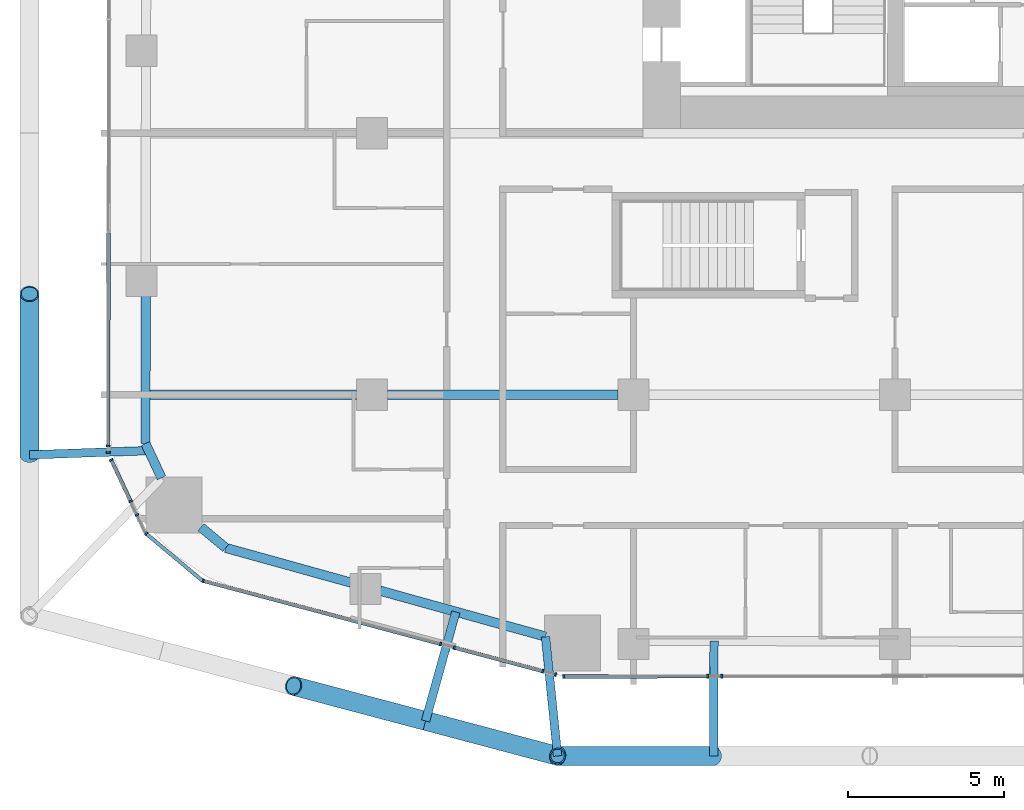
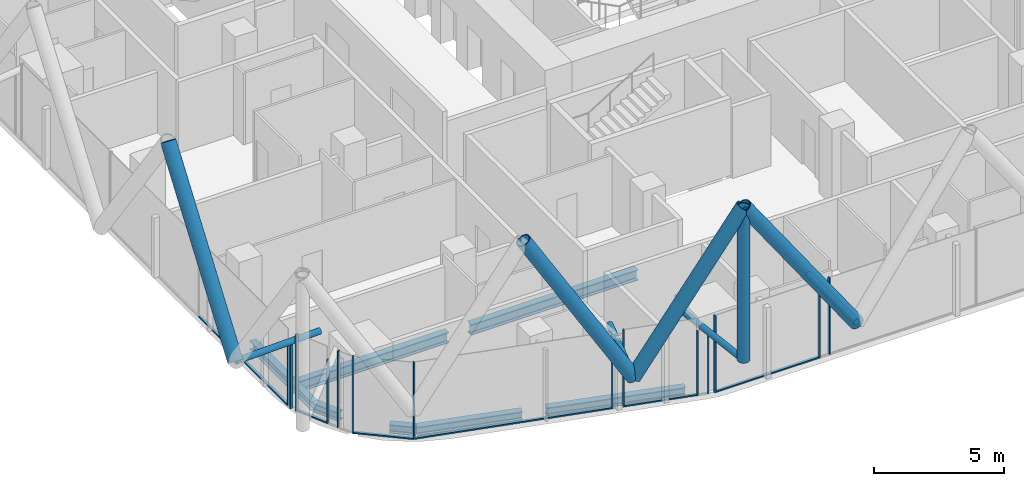
# One storey, part 2 of 38: 29 members, 7 beams, 13 elements without a shape of their own.
"""IFC4 building model written with IfcOpenShell, lengths in metres."""

from ifc_helpers import new_model, si_unit, direction, frame, origin, origin_2d, place, context, subcontext, project, spatial, rectangle, hollow_circle, i_section, extrude, material, layer, layer_set, material_profile, profile_set, type_object, element, aggregate, save


model = new_model("IFC4")

# Units and contexts
model_context = context("Model", 3, precision=1e-05, world=origin(), true_north=direction((0.0, 1.0)))
body_context = subcontext(model_context, "Body", "Model", "MODEL_VIEW")
ifc_project = project(units=[si_unit("LENGTHUNIT", "METRE"), si_unit("AREAUNIT", "SQUARE_METRE"), si_unit("VOLUMEUNIT", "CUBIC_METRE"), si_unit("PLANEANGLEUNIT", "RADIAN"), si_unit("MASSUNIT", "GRAM", prefix="KILO")], contexts=[model_context])

# Site, building, storey
site_placement = place(None, origin())
site = spatial("IfcSite", under=ifc_project, at=site_placement, CompositionType="ELEMENT")
building_placement = place(site_placement, origin())
building = spatial("IfcBuilding", under=site, at=building_placement, Name="Marenta Gate Hotel Tower", CompositionType="ELEMENT")
storey_placement = place(building_placement, frame((0.0, 0.0, 68.89990234375)))
storey = spatial("IfcBuildingStorey", under=building, at=storey_placement, Name="L15", CompositionType="ELEMENT", Elevation=68.89990234375)

# Members
ifc_material_1 = material(Name="Steel S355J2W", Category="steel")
ifc_material_profile_1 = material_profile(ifc_material_1, hollow_circle(Radius=0.25390625, WallThickness=0.0400390625, at=origin_2d()), Name="CHS 508x40")
ifc_profile_set_1 = profile_set([ifc_material_profile_1], Name="Steel S355J2W")
member_type_1 = type_object("IfcMemberType", Name="Diagrid corner post Z1 CHS 508x40", PredefinedType="POST", material=ifc_profile_set_1)
member_1_placement = place(storey_placement, frame((-15.0390625, -20.0, 3.14013671875), z_axis=(0.0, 0.0, 1.0), x_axis=(1.0, 0.0, 0.0)))
element("IfcMember", 1, at=member_1_placement, inside=storey, type_object=member_type_1, Name="L15-DR-4", PredefinedType="POST", context=body_context, shape_type="SweptSolid", body=[
    extrude(hollow_circle(Radius=0.25390625, WallThickness=0.0400390625, at=origin_2d()), origin(), (0.0, 0.0, 1.0), 7.199951171875),
])
ifc_material_2 = material(Name="Steel S355J2W", Category="steel")
ifc_material_profile_2 = material_profile(ifc_material_2, hollow_circle(Radius=0.304931640625, WallThickness=0.0400390625, at=origin_2d()), Name="CHS 610x40")
ifc_profile_set_2 = profile_set([ifc_material_profile_2], Name="Steel S355J2W")
member_type_2 = type_object("IfcMemberType", Name="Diagrid diagonal Z1 CHS 610x40", PredefinedType="BRACE", material=ifc_profile_set_2)
member_2_placement = place(storey_placement, frame((-10.02587890625, -20.0, 3.14013671875), z_axis=(-0.571411767966, 0.0, 0.820663506822), x_axis=(0.0, -1.0, 0.0)))
element("IfcMember", 2, at=member_2_placement, inside=storey, type_object=member_type_2, Name="L15-DG-20", PredefinedType="BRACE", context=body_context, shape_type="SweptSolid", body=[
    extrude(hollow_circle(Radius=0.304931640625, WallThickness=0.0400390625, at=origin_2d()), origin(), (0.0, 0.0, 1.0), 8.7734375),
])
for number, where, z_axis, x_axis, name in (
    (3, (-19.279296875, -18.875, 3.14013671875), (0.502924018666, -0.133433548941, 0.853968921838), (0.256443187528, 0.96655930577, 0.0), "L15-DG-21"),
    (4, (-19.279296875, -18.875, 3.14013671875), (-0.502924018666, 0.133433548941, 0.853968921838), (-0.256443187528, -0.96655930577, 0.0), "L15-DG-22"),
):
    element("IfcMember", number, at=place(storey_placement, frame(where, z_axis=z_axis, x_axis=x_axis)), inside=storey, type_object=member_type_2, Name=name, PredefinedType="BRACE", context=body_context, shape_type="SweptSolid", body=[
        extrude(hollow_circle(Radius=0.304931640625, WallThickness=0.0400390625, at=origin_2d()), origin(), (0.0, 0.0, 1.0), 8.43115234375),
    ])
member_3_placement = place(storey_placement, frame((-32.0, -10.330078125, 3.14013671875), z_axis=(0.0, 0.583260841117, 0.812284919975), x_axis=(-1.0, 0.0, 0.0)))
element("IfcMember", 5, at=member_3_placement, inside=storey, type_object=member_type_2, Name="L15-DG-26", PredefinedType="BRACE", context=body_context, shape_type="SweptSolid", body=[
    extrude(hollow_circle(Radius=0.304931640625, WallThickness=0.0400390625, at=origin_2d()), origin(), (0.0, 0.0, 1.0), 8.86376953125),
])

# Beams
ifc_material_3 = material(Name="Steel S355", Category="steel")
ifc_material_profile_3 = material_profile(ifc_material_3, i_section(OverallWidth=0.300048828125, OverallDepth=0.39990234375, WebThickness=0.013427734375, FlangeThickness=0.02392578125, FilletRadius=0.027099609375, at=origin_2d()), Name="HEB 400")
ifc_profile_set_3 = profile_set([ifc_material_profile_3], Name="Steel S355")
beam_type_1 = type_object("IfcBeamType", Name="Edge beam HEB 400", PredefinedType="SPANDREL", material=ifc_profile_set_3)
beam_1_placement = place(storey_placement, frame((-15.427734375, -16.166748046875, -0.4599609375), z_axis=(-0.963623684238, 0.267262782998, 0.0), x_axis=(-0.267262782998, -0.963623684238, 0.0)))
element("IfcBeam", 6, at=beam_1_placement, inside=storey, type_object=beam_type_1, Name="L15-EB-1", PredefinedType="SPANDREL", context=body_context, shape_type="SweptSolid", body=[
    extrude(i_section(OverallWidth=0.300048828125, OverallDepth=0.39990234375, WebThickness=0.013427734375, FlangeThickness=0.02392578125, FilletRadius=0.027099609375, at=origin_2d()), origin(), (0.0, 0.0, 1.0), 5.518310546875),
])
beam_2_placement = place(storey_placement, frame((-21.668212890625, -14.43603515625, -0.4599609375), z_axis=(-0.963617403201, 0.267285428426, 0.0), x_axis=(-0.267285428426, -0.963617403201, 0.0)))
element("IfcBeam", 7, at=beam_2_placement, inside=storey, type_object=beam_type_1, Name="L15-EB-2", PredefinedType="SPANDREL", context=body_context, shape_type="SweptSolid", body=[
    extrude(i_section(OverallWidth=0.300048828125, OverallDepth=0.39990234375, WebThickness=0.013427734375, FlangeThickness=0.02392578125, FilletRadius=0.027099609375, at=origin_2d()), origin(), (0.0, 0.0, 1.0), 4.1806640625),
])
beam_3_placement = place(storey_placement, frame((-25.69677734375, -13.318603515625, -0.4599609375), z_axis=(-0.767179911534, 0.641431978731, 0.0), x_axis=(-0.641431978731, -0.767179911534, 0.0)))
element("IfcBeam", 8, at=beam_3_placement, inside=storey, type_object=beam_type_1, Name="L15-EB-3", PredefinedType="SPANDREL", context=body_context, shape_type="SweptSolid", body=[
    extrude(i_section(OverallWidth=0.300048828125, OverallDepth=0.39990234375, WebThickness=0.013427734375, FlangeThickness=0.02392578125, FilletRadius=0.027099609375, at=origin_2d()), origin(), (0.0, 0.0, 1.0), 1.038818359375),
])
beam_4_placement = place(storey_placement, frame((-27.76025390625, -11.0693359375, -0.4599609375), z_axis=(-0.423291965192, 0.905993329006, 0.0), x_axis=(-0.905993329006, -0.423291965192, 0.0)))
element("IfcBeam", 9, at=beam_4_placement, inside=storey, type_object=beam_type_1, Name="L15-EB-4", PredefinedType="SPANDREL", context=body_context, shape_type="SweptSolid", body=[
    extrude(i_section(OverallWidth=0.300048828125, OverallDepth=0.39990234375, WebThickness=0.013427734375, FlangeThickness=0.02392578125, FilletRadius=0.027099609375, at=origin_2d()), origin(), (0.0, 0.0, 1.0), 1.21630859375),
])
beam_5_placement = place(storey_placement, frame((-28.275146484375, -9.96728515625, -0.4599609375), z_axis=(0.001386177947, 0.999999039255, 0.0), x_axis=(-0.999999039255, 0.001386177947, 0.0)))
element("IfcBeam", 10, at=beam_5_placement, inside=storey, type_object=beam_type_1, Name="L15-EB-5", PredefinedType="SPANDREL", context=body_context, shape_type="SweptSolid", body=[
    extrude(i_section(OverallWidth=0.300048828125, OverallDepth=0.39990234375, WebThickness=0.013427734375, FlangeThickness=0.02392578125, FilletRadius=0.027099609375, at=origin_2d()), origin(), (0.0, 0.0, 1.0), 4.75537109375),
])

# Members
ifc_material_4 = material(Name="Steel S355J2W", Category="steel")
ifc_material_profile_4 = material_profile(ifc_material_4, hollow_circle(Radius=0.136474609375, WallThickness=0.012451171875, at=origin_2d()), Name="CHS 273x12.5")
ifc_profile_set_4 = profile_set([ifc_material_profile_4], Name="Steel S355J2W")
member_type_3 = type_object("IfcMemberType", Name="Floor tie CHS 273x12.5", PredefinedType="STRUT", material=ifc_profile_set_4)
member_4_placement = place(storey_placement, frame((-10.02587890625, -20.0, 3.14013671875), z_axis=(0.00271396366, 0.999996317194, 0.0), x_axis=(-0.999996317194, 0.00271396366, 0.0)))
element("IfcMember", 11, at=member_4_placement, inside=storey, type_object=member_type_3, Name="L15-DR-15", PredefinedType="STRUT", context=body_context, shape_type="SweptSolid", body=[
    extrude(hollow_circle(Radius=0.136474609375, WallThickness=0.012451171875, at=origin_2d()), origin(), (0.0, 0.0, 1.0), 3.688232421875),
])
member_5_placement = place(storey_placement, frame((-15.0390625, -20.0, 3.14013671875), z_axis=(-0.100880214529, 0.99489857891, 0.0), x_axis=(-0.99489857891, -0.100880214529, 0.0)))
element("IfcMember", 12, at=member_5_placement, inside=storey, type_object=member_type_3, Name="L15-DR-16", PredefinedType="STRUT", context=body_context, shape_type="SweptSolid", body=[
    extrude(hollow_circle(Radius=0.136474609375, WallThickness=0.012451171875, at=origin_2d()), origin(), (0.0, 0.0, 1.0), 3.845458984375),
])
member_6_placement = place(storey_placement, frame((-19.279296875, -18.875, 3.14013671875), z_axis=(0.267255561647, 0.963625687064, 0.0), x_axis=(-0.963625687064, 0.267255561647, 0.0)))
element("IfcMember", 13, at=member_6_placement, inside=storey, type_object=member_type_3, Name="L15-DR-17", PredefinedType="STRUT", context=body_context, shape_type="SweptSolid", body=[
    extrude(hollow_circle(Radius=0.136474609375, WallThickness=0.012451171875, at=origin_2d()), origin(), (0.0, 0.0, 1.0), 3.632080078125),
])
member_7_placement = place(storey_placement, frame((-32.0, -10.330078125, 3.14013671875), z_axis=(0.999365858517, 0.035607314287, 0.0), x_axis=(-0.035607314287, 0.999365858517, 0.0)))
element("IfcMember", 14, at=member_7_placement, inside=storey, type_object=member_type_3, Name="L15-DR-19", PredefinedType="STRUT", context=body_context, shape_type="SweptSolid", body=[
    extrude(hollow_circle(Radius=0.136474609375, WallThickness=0.012451171875, at=origin_2d()), origin(), (0.0, 0.0, 1.0), 3.825927734375),
])

# Beams
ifc_material_5 = material(Name="Steel S355", Category="steel")
ifc_material_profile_5 = material_profile(ifc_material_5, i_section(OverallWidth=0.300048828125, OverallDepth=0.5, WebThickness=0.014404296875, FlangeThickness=0.028076171875, FilletRadius=0.027099609375, at=origin_2d()), Name="HEB 500")
ifc_profile_set_5 = profile_set([ifc_material_profile_5], Name="Steel S355")
beam_type_2 = type_object("IfcBeamType", Name="Girder HEB 500", PredefinedType="BEAM", material=ifc_profile_set_5)
beam_6_placement = place(storey_placement, frame((-28.123046875, -8.39990234375, -0.510009765625), z_axis=(1.0, 0.0, 0.0), x_axis=(0.0, 1.0, 0.0)))
element("IfcBeam", 15, at=beam_6_placement, inside=storey, type_object=beam_type_2, Name="L15-GD-1", PredefinedType="BEAM", context=body_context, shape_type="SweptSolid", body=[
    extrude(i_section(OverallWidth=0.300048828125, OverallDepth=0.5, WebThickness=0.014404296875, FlangeThickness=0.028076171875, FilletRadius=0.027099609375, at=origin_2d()), origin(), (0.0, 0.0, 1.0), 6.623046875),
])
beam_7_placement = place(storey_placement, frame((-20.5, -8.39990234375, -0.510009765625), z_axis=(1.0, 0.0, 0.0), x_axis=(0.0, 1.0, 0.0)))
element("IfcBeam", 16, at=beam_7_placement, inside=storey, type_object=beam_type_2, Name="L15-GD-2", PredefinedType="BEAM", context=body_context, shape_type="SweptSolid", body=[
    extrude(i_section(OverallWidth=0.300048828125, OverallDepth=0.5, WebThickness=0.014404296875, FlangeThickness=0.028076171875, FilletRadius=0.027099609375, at=origin_2d()), origin(), (0.0, 0.0, 1.0), 7.39990234375),
])

# Curtain wall, members
ifc_material_6 = material(Name="Tinted insulated glass in bronze anodised frame", Category="glass")
ifc_layer = layer(ifc_material_6, 0.1201171875)
ifc_layer_set = layer_set([ifc_layer], Name="Tinted insulated glass in bronze anodised frame")
curtain_wall_type = type_object("IfcCurtainWallType", Name="Tower unitised curtain wall CW1", PredefinedType="NOTDEFINED", material=ifc_layer_set)
curtain_wall_1_placement = place(storey_placement, origin())
curtain_wall_1 = element("IfcCurtainWall", 17, at=curtain_wall_1_placement, inside=storey, type_object=curtain_wall_type, Name="CW1 run G09", PredefinedType="NOTDEFINED")
ifc_material_7 = material(Name="Bronze anodised aluminium", Category="aluminium")
ifc_material_profile_6 = material_profile(ifc_material_7, rectangle(XDim=0.1201171875, YDim=0.06005859375, at=origin_2d()), Name="Mullion CW1 60x120 bronze anodised aluminium")
ifc_profile_set_6 = profile_set([ifc_material_profile_6], Name="Bronze anodised aluminium")
member_type_4 = type_object("IfcMemberType", Name="Mullion CW1 60x120 bronze anodised aluminium", PredefinedType="MULLION", material=ifc_profile_set_6)
member_8_placement = place(storey_placement, frame((-29.472900390625, -10.04345703125, 0.0), z_axis=(0.0, 0.0, 1.0), x_axis=(0.999998839888, -0.001523227487, 0.0)))
member_8 = element("IfcMember", 18, at=member_8_placement, type_object=member_type_4, Name="CW1 mullion 1", PredefinedType="MULLION", context=body_context, shape_type="SweptSolid", body=[
    extrude(rectangle(XDim=0.1201171875, YDim=0.06005859375, at=origin_2d()), origin(), (0.0, 0.0, 1.0), 3.00048828125),
])
member_9_placement = place(storey_placement, frame((-29.47314453125, -10.24609375, 0.0), z_axis=(0.0, 0.0, 1.0), x_axis=(0.999998839888, -0.001523227487, 0.0)))
member_9 = element("IfcMember", 19, at=member_9_placement, type_object=member_type_4, Name="CW1 mullion 2", PredefinedType="MULLION", context=body_context, shape_type="SweptSolid", body=[
    extrude(rectangle(XDim=0.1201171875, YDim=0.06005859375, at=origin_2d()), origin(), (0.0, 0.0, 1.0), 3.00048828125),
])
aggregate(curtain_wall_1, [member_8, member_9])

# Curtain wall, member
curtain_wall_2_placement = place(storey_placement, origin())
curtain_wall_2 = element("IfcCurtainWall", 20, at=curtain_wall_2_placement, inside=storey, type_object=curtain_wall_type, Name="CW1 run G10", PredefinedType="NOTDEFINED")
member_10_placement = place(storey_placement, frame((-29.373046875, -10.49072265625, 0.0), z_axis=(0.0, 0.0, 1.0), x_axis=(0.905954731156, 0.423374568314, 0.0)))
member_10 = element("IfcMember", 21, at=member_10_placement, type_object=member_type_4, Name="CW1 mullion 1", PredefinedType="MULLION", context=body_context, shape_type="SweptSolid", body=[
    extrude(rectangle(XDim=0.1201171875, YDim=0.06005859375, at=origin_2d()), origin(), (0.0, 0.0, 1.0), 3.60009765625),
])

curtain_wall_3_placement = place(storey_placement, origin())
curtain_wall_3 = element("IfcCurtainWall", 22, at=curtain_wall_3_placement, inside=storey, type_object=curtain_wall_type, Name="CW1 run G11", PredefinedType="NOTDEFINED")
member_11_placement = place(storey_placement, frame((-28.752197265625, -11.819091796875, 0.0), z_axis=(0.0, 0.0, 1.0), x_axis=(0.906004324729, 0.423268429691, 0.0)))
member_11 = element("IfcMember", 23, at=member_11_placement, type_object=member_type_4, Name="CW1 mullion 1", PredefinedType="MULLION", context=body_context, shape_type="SweptSolid", body=[
    extrude(rectangle(XDim=0.1201171875, YDim=0.06005859375, at=origin_2d()), origin(), (0.0, 0.0, 1.0), 3.00048828125),
])
aggregate(curtain_wall_3, [member_11])

curtain_wall_4_placement = place(storey_placement, origin())
curtain_wall_4 = element("IfcCurtainWall", 24, at=curtain_wall_4_placement, inside=storey, type_object=curtain_wall_type, Name="CW1 run G12", PredefinedType="NOTDEFINED")
member_12_placement = place(storey_placement, frame((-28.546630859375, -12.25927734375, 0.0), z_axis=(0.0, 0.0, 1.0), x_axis=(0.905943804319, 0.423397949235, 0.0)))
member_12 = element("IfcMember", 25, at=member_12_placement, type_object=member_type_4, Name="CW1 mullion 1", PredefinedType="MULLION", context=body_context, shape_type="SweptSolid", body=[
    extrude(rectangle(XDim=0.1201171875, YDim=0.06005859375, at=origin_2d()), origin(), (0.0, 0.0, 1.0), 3.60009765625),
])
aggregate(curtain_wall_4, [member_12])

curtain_wall_5_placement = place(storey_placement, origin())
curtain_wall_5 = element("IfcCurtainWall", 26, at=curtain_wall_5_placement, inside=storey, type_object=curtain_wall_type, Name="CW1 run G13", PredefinedType="NOTDEFINED")
member_13_placement = place(storey_placement, frame((-28.25146484375, -12.86083984375, 0.0), z_axis=(0.0, 0.0, 1.0), x_axis=(0.641511984407, 0.767113012445, 0.0)))
member_13 = element("IfcMember", 27, at=member_13_placement, type_object=member_type_4, Name="CW1 mullion 1", PredefinedType="MULLION", context=body_context, shape_type="SweptSolid", body=[
    extrude(rectangle(XDim=0.1201171875, YDim=0.06005859375, at=origin_2d()), origin(), (0.0, 0.0, 1.0), 3.60009765625),
])

curtain_wall_6_placement = place(storey_placement, origin())
curtain_wall_6 = element("IfcCurtainWall", 28, at=curtain_wall_6_placement, inside=storey, type_object=curtain_wall_type, Name="CW1 run G14", PredefinedType="NOTDEFINED")
member_14_placement = place(storey_placement, frame((-26.42236328125, -14.3740234375, 0.0), z_axis=(0.0, 0.0, 1.0), x_axis=(0.257144343682, 0.96637300589, 0.0)))
member_14 = element("IfcMember", 29, at=member_14_placement, type_object=member_type_4, Name="CW1 mullion 1", PredefinedType="MULLION", context=body_context, shape_type="SweptSolid", body=[
    extrude(rectangle(XDim=0.1201171875, YDim=0.06005859375, at=origin_2d()), origin(), (0.0, 0.0, 1.0), 3.60009765625),
])

curtain_wall_7_placement = place(storey_placement, origin())
curtain_wall_7 = element("IfcCurtainWall", 30, at=curtain_wall_7_placement, inside=storey, type_object=curtain_wall_type, Name="CW1 run G15", PredefinedType="NOTDEFINED")
member_15_placement = place(storey_placement, frame((-18.797607421875, -16.40283203125, 0.0), z_axis=(0.0, 0.0, 1.0), x_axis=(0.257154287199, 0.966370359942, 0.0)))
member_15 = element("IfcMember", 31, at=member_15_placement, type_object=member_type_4, Name="CW1 mullion 1", PredefinedType="MULLION", context=body_context, shape_type="SweptSolid", body=[
    extrude(rectangle(XDim=0.1201171875, YDim=0.06005859375, at=origin_2d()), origin(), (0.0, 0.0, 1.0), 3.00048828125),
])
aggregate(curtain_wall_7, [member_15])

curtain_wall_8_placement = place(storey_placement, origin())
curtain_wall_8 = element("IfcCurtainWall", 32, at=curtain_wall_8_placement, inside=storey, type_object=curtain_wall_type, Name="CW1 run G16", PredefinedType="NOTDEFINED")
member_16_placement = place(storey_placement, frame((-18.359619140625, -16.51953125, 0.0), z_axis=(0.0, 0.0, 1.0), x_axis=(0.257134071867, 0.966375739081, 0.0)))
member_16 = element("IfcMember", 33, at=member_16_placement, type_object=member_type_4, Name="CW1 mullion 1", PredefinedType="MULLION", context=body_context, shape_type="SweptSolid", body=[
    extrude(rectangle(XDim=0.1201171875, YDim=0.06005859375, at=origin_2d()), origin(), (0.0, 0.0, 1.0), 3.60009765625),
])

# Curtain wall, members
curtain_wall_9_placement = place(storey_placement, origin())
curtain_wall_9 = element("IfcCurtainWall", 34, at=curtain_wall_9_placement, inside=storey, type_object=curtain_wall_type, Name="CW1 run G17", PredefinedType="NOTDEFINED")
member_17_placement = place(storey_placement, frame((-15.5146484375, -17.2763671875, 0.0), z_axis=(0.0, 0.0, 1.0), x_axis=(0.257084251591, 0.966388993927, 0.0)))
member_17 = element("IfcMember", 35, at=member_17_placement, type_object=member_type_4, Name="CW1 mullion 1", PredefinedType="MULLION", context=body_context, shape_type="SweptSolid", body=[
    extrude(rectangle(XDim=0.1201171875, YDim=0.06005859375, at=origin_2d()), origin(), (0.0, 0.0, 1.0), 3.00048828125),
])
member_18_placement = place(storey_placement, frame((-15.104736328125, -17.385498046875, 0.0), z_axis=(0.0, 0.0, 1.0), x_axis=(0.257084251591, 0.966388993927, 0.0)))
member_18 = element("IfcMember", 36, at=member_18_placement, type_object=member_type_4, Name="CW1 mullion 2", PredefinedType="MULLION", context=body_context, shape_type="SweptSolid", body=[
    extrude(rectangle(XDim=0.1201171875, YDim=0.06005859375, at=origin_2d()), origin(), (0.0, 0.0, 1.0), 3.00048828125),
])
aggregate(curtain_wall_9, [member_17, member_18])

# Curtain wall, member
curtain_wall_10_placement = place(storey_placement, origin())
curtain_wall_10 = element("IfcCurtainWall", 37, at=curtain_wall_10_placement, inside=storey, type_object=curtain_wall_type, Name="CW1 run G18", PredefinedType="NOTDEFINED")
member_19_placement = place(storey_placement, frame((-14.840576171875, -17.44775390625, 0.0), z_axis=(0.0, 0.0, 1.0), x_axis=(-0.001167541525, 0.999999318423, 0.0)))
member_19 = element("IfcMember", 38, at=member_19_placement, type_object=member_type_4, Name="CW1 mullion 1", PredefinedType="MULLION", context=body_context, shape_type="SweptSolid", body=[
    extrude(rectangle(XDim=0.1201171875, YDim=0.06005859375, at=origin_2d()), origin(), (0.0, 0.0, 1.0), 3.60009765625),
])

curtain_wall_11_placement = place(storey_placement, origin())
curtain_wall_11 = element("IfcCurtainWall", 39, at=curtain_wall_11_placement, inside=storey, type_object=curtain_wall_type, Name="CW1 run G19", PredefinedType="NOTDEFINED")
member_20_placement = place(storey_placement, frame((-10.215576171875, -17.4423828125, 0.0), z_axis=(0.0, 0.0, 1.0), x_axis=(-0.001103752086, 0.999999390865, 0.0)))
member_20 = element("IfcMember", 40, at=member_20_placement, type_object=member_type_4, Name="CW1 mullion 1", PredefinedType="MULLION", context=body_context, shape_type="SweptSolid", body=[
    extrude(rectangle(XDim=0.1201171875, YDim=0.06005859375, at=origin_2d()), origin(), (0.0, 0.0, 1.0), 3.00048828125),
])
aggregate(curtain_wall_11, [member_20])

curtain_wall_12_placement = place(storey_placement, origin())
curtain_wall_12 = element("IfcCurtainWall", 41, at=curtain_wall_12_placement, inside=storey, type_object=curtain_wall_type, Name="CW1 run G20", PredefinedType="NOTDEFINED")
member_21_placement = place(storey_placement, frame((-9.762451171875, -17.44189453125, 0.0), z_axis=(0.0, 0.0, 1.0), x_axis=(-0.001163317936, 0.999999323345, 0.0)))
member_21 = element("IfcMember", 42, at=member_21_placement, type_object=member_type_4, Name="CW1 mullion 1", PredefinedType="MULLION", context=body_context, shape_type="SweptSolid", body=[
    extrude(rectangle(XDim=0.1201171875, YDim=0.06005859375, at=origin_2d()), origin(), (0.0, 0.0, 1.0), 3.60009765625),
])
aggregate(curtain_wall_12, [member_21])

curtain_wall_13_placement = place(storey_placement, origin())
curtain_wall_13 = element("IfcCurtainWall", 43, at=curtain_wall_13_placement, inside=storey, type_object=curtain_wall_type, Name="CW1 run G08", PredefinedType="NOTDEFINED")
ifc_material_8 = material(Name="Bronze anodised aluminium", Category="aluminium")
ifc_material_profile_7 = material_profile(ifc_material_8, rectangle(XDim=0.1201171875, YDim=0.06005859375, at=origin_2d()), Name="Transom CW1 60x120 bronze anodised aluminium")
ifc_profile_set_7 = profile_set([ifc_material_profile_7], Name="Bronze anodised aluminium")
member_type_5 = type_object("IfcMemberType", Name="Transom CW1 60x120 bronze anodised aluminium", PredefinedType="USERDEFINED", material=ifc_profile_set_7)
member_22_placement = place(storey_placement, frame((-29.462158203125, -3.20458984375, 0.030029296875), z_axis=(-0.001577680994, -0.999998755461, 0.0), x_axis=(0.999998755461, -0.001577680994, 0.0)))
member_22 = element("IfcMember", 44, at=member_22_placement, type_object=member_type_5, Name="CW1 transom 3.1", ObjectType="TRANSOM", PredefinedType="USERDEFINED", context=body_context, shape_type="SweptSolid", body=[
    extrude(rectangle(XDim=0.1201171875, YDim=0.06005859375, at=origin_2d()), origin(), (0.0, 0.0, 1.0), 6.808837890625),
])
aggregate(curtain_wall_13, [member_22])

# Member
member_23_placement = place(storey_placement, frame((-29.3603515625, -10.51806640625, 0.030029296875), z_axis=(0.423512756484, -0.905890139639, 0.0), x_axis=(0.905890139639, 0.423512756484, 0.0)))
member_23 = element("IfcMember", 45, at=member_23_placement, type_object=member_type_5, Name="CW1 transom 1.1", ObjectType="TRANSOM", PredefinedType="USERDEFINED", context=body_context, shape_type="SweptSolid", body=[
    extrude(rectangle(XDim=0.1201171875, YDim=0.06005859375, at=origin_2d()), origin(), (0.0, 0.0, 1.0), 1.406005859375),
])

aggregate(curtain_wall_2, [member_10, member_23])

member_24_placement = place(storey_placement, frame((-28.228271484375, -12.880126953125, 0.030029296875), z_axis=(0.767079699321, -0.641551817775, 0.0), x_axis=(0.641551817775, 0.767079699321, 0.0)))
member_24 = element("IfcMember", 46, at=member_24_placement, type_object=member_type_5, Name="CW1 transom 1.1", ObjectType="TRANSOM", PredefinedType="USERDEFINED", context=body_context, shape_type="SweptSolid", body=[
    extrude(rectangle(XDim=0.1201171875, YDim=0.06005859375, at=origin_2d()), origin(), (0.0, 0.0, 1.0), 2.31640625),
])

aggregate(curtain_wall_5, [member_13, member_24])

member_25_placement = place(storey_placement, frame((-26.393310546875, -14.3818359375, 0.030029296875), z_axis=(0.966375039194, -0.257136702208, 0.0), x_axis=(0.257136702208, 0.966375039194, 0.0)))
member_25 = element("IfcMember", 47, at=member_25_placement, type_object=member_type_5, Name="CW1 transom 1.1", ObjectType="TRANSOM", PredefinedType="USERDEFINED", context=body_context, shape_type="SweptSolid", body=[
    extrude(rectangle(XDim=0.1201171875, YDim=0.06005859375, at=origin_2d()), origin(), (0.0, 0.0, 1.0), 7.830078125),
])

aggregate(curtain_wall_6, [member_14, member_25])

member_26_placement = place(storey_placement, frame((-18.330810546875, -16.527099609375, 0.030029296875), z_axis=(0.966366881065, -0.257167360255, 0.0), x_axis=(0.257167360255, 0.966366881065, 0.0)))
member_26 = element("IfcMember", 48, at=member_26_placement, type_object=member_type_5, Name="CW1 transom 1.1", ObjectType="TRANSOM", PredefinedType="USERDEFINED", context=body_context, shape_type="SweptSolid", body=[
    extrude(rectangle(XDim=0.1201171875, YDim=0.06005859375, at=origin_2d()), origin(), (0.0, 0.0, 1.0), 2.884033203125),
])

aggregate(curtain_wall_8, [member_16, member_26])

member_27_placement = place(storey_placement, frame((-14.810546875, -17.44775390625, 0.030029296875), z_axis=(0.999999307811, 0.001176595613, 0.0), x_axis=(-0.001176595613, 0.999999307811, 0.0)))
member_27 = element("IfcMember", 49, at=member_27_placement, type_object=member_type_5, Name="CW1 transom 1.1", ObjectType="TRANSOM", PredefinedType="USERDEFINED", context=body_context, shape_type="SweptSolid", body=[
    extrude(rectangle(XDim=0.1201171875, YDim=0.06005859375, at=origin_2d()), origin(), (0.0, 0.0, 1.0), 4.56494140625),
])

aggregate(curtain_wall_10, [member_19, member_27])

save(model, "model.ifc")
